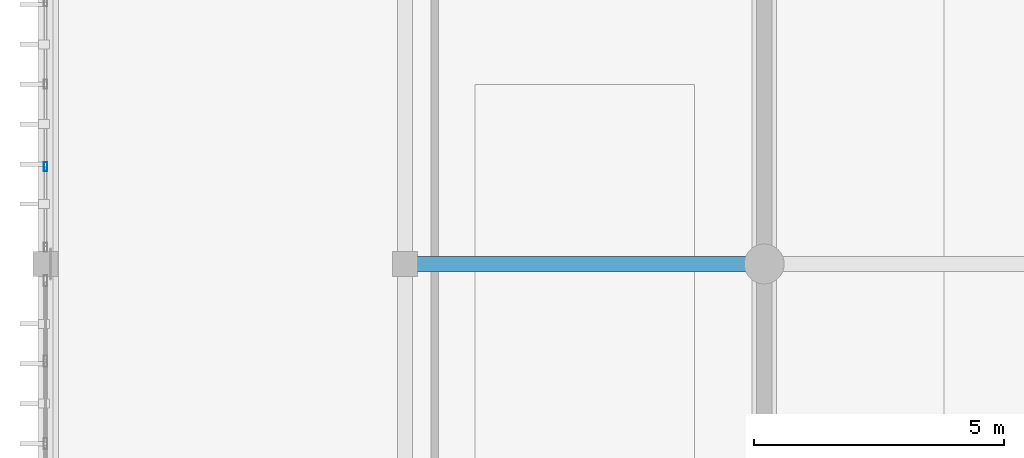
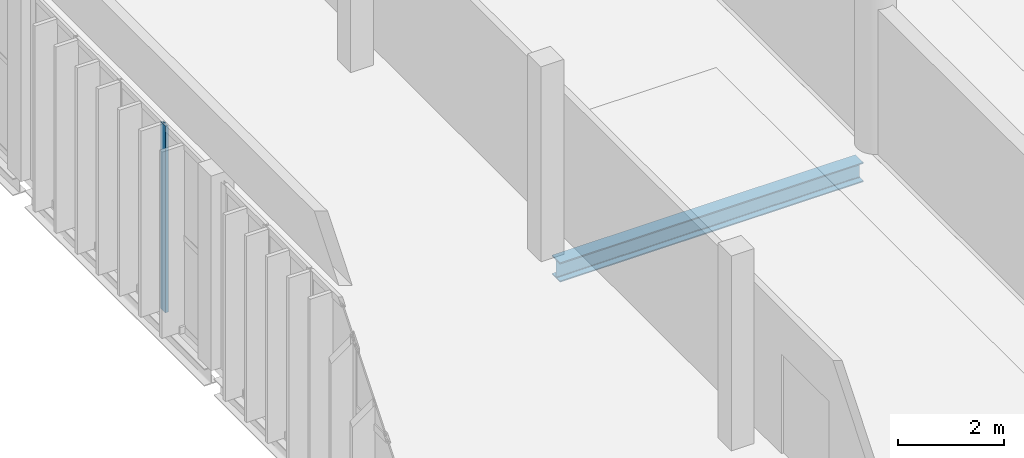
# One storey, part 22 of 64: 1 beam, 1 member, 1 element without a shape of its own.
"""IFC4 building model written with IfcOpenShell, lengths in metres."""

import ifcopenshell
import ifcopenshell.guid

model = None  # the IFC model being written
_history = None  # IfcOwnerHistory: only IFC2X3 demands one
_inside = {}  # id of a spatial element -> (the spatial element, [elements in it])
_under = {}  # id of a project, library or spatial element -> (it, [spatial elements below it])
_declared = {}  # id of a project -> (the project, [libraries it declares])
_typed = {}  # id of a type object -> (the type object, [elements of that type])
_made_of = {}  # id of a material, layer set ... -> (it, [elements and type objects made of it])


def new_model(schema):
    """Start an empty IFC model of exactly this schema.

    Asked for "IFC4X3", IfcOpenShell would pick the latest addendum, in which some entities
    have other attributes; the version numbers below select the first issue.
    IFC2X3 requires an IfcOwnerHistory on every rooted entity: one is made here for all.
    """
    global model, _history
    if schema == "IFC4X3":
        model = ifcopenshell.file(schema_version=(4, 3, 0, 0))
    else:
        model = ifcopenshell.file(schema=schema)
    _inside.clear()
    _under.clear()
    _declared.clear()
    _typed.clear()
    _made_of.clear()
    _history = None
    if model.schema == "IFC2X3":
        org = make("IfcOrganization", Name="unknown")
        user = make(
            "IfcPersonAndOrganization",
            ThePerson=make("IfcPerson", FamilyName="unknown"),
            TheOrganization=org,
        )
        app = make(
            "IfcApplication",
            ApplicationDeveloper=org,
            Version="unknown",
            ApplicationFullName="unknown",
            ApplicationIdentifier="unknown",
        )
        _history = make(
            "IfcOwnerHistory",
            OwningUser=user,
            OwningApplication=app,
            ChangeAction="ADDED",
            CreationDate=0,
        )
    return model


def make(cls, **values):
    """One entity of the class cls with the attributes given. An attribute that is None is left unset."""
    return model.create_entity(
        cls, **{name: value for name, value in values.items() if value is not None}
    )


def rooted(cls, **values):
    """An entity with a GlobalId (a new one), such as an element, a storey or a relation."""
    return make(cls, GlobalId=ifcopenshell.guid.new(), OwnerHistory=_history, **values)


def si_unit(unit_type, name, prefix=None):
    """IfcSIUnit, for example si_unit("LENGTHUNIT", "METRE", prefix="MILLI")."""
    return make("IfcSIUnit", UnitType=unit_type, Prefix=prefix, Name=name)


def assignment(units):
    """IfcUnitAssignment: the units of a project."""
    return None if units is None else make("IfcUnitAssignment", Units=units)


def point(xyz):
    """IfcCartesianPoint."""
    return None if xyz is None else make("IfcCartesianPoint", Coordinates=xyz)


def direction(xyz):
    """IfcDirection."""
    return None if xyz is None else make("IfcDirection", DirectionRatios=xyz)


def frame(location, z_axis=None, x_axis=None):
    """IfcAxis2Placement3D, a coordinate frame: its origin and axes. An axis left out is left unset."""
    return make(
        "IfcAxis2Placement3D",
        Location=point(location),
        Axis=direction(z_axis),
        RefDirection=direction(x_axis),
    )


def frame_2d(location, x_axis=None):
    """IfcAxis2Placement2D, a coordinate frame in the plane: its origin and x axis."""
    return make(
        "IfcAxis2Placement2D", Location=point(location), RefDirection=direction(x_axis)
    )


def origin():
    """The frame at (0, 0, 0) with its axes left unset."""
    return frame((0.0, 0.0, 0.0))


def origin_2d():
    """The frame at (0, 0) in the plane with its x axis left unset."""
    return frame_2d((0.0, 0.0))


def place(relative_to, where):
    """IfcLocalPlacement: puts the frame where relative to a parent placement (None: the world)."""
    return make(
        "IfcLocalPlacement", PlacementRelTo=relative_to, RelativePlacement=where
    )


def context(
    kind, dimensions, precision=None, world=None, true_north=None, identifier=None
):
    """IfcGeometricRepresentationContext, for example the 3D "Model" context."""
    return make(
        "IfcGeometricRepresentationContext",
        ContextIdentifier=identifier,
        ContextType=kind,
        CoordinateSpaceDimension=dimensions,
        Precision=precision,
        WorldCoordinateSystem=world,
        TrueNorth=true_north,
    )


def subcontext(parent, identifier, kind, view, scale=None):
    """IfcGeometricRepresentationSubContext, for example "Body" below "Model"."""
    return make(
        "IfcGeometricRepresentationSubContext",
        ContextIdentifier=identifier,
        ContextType=kind,
        ParentContext=parent,
        TargetScale=scale,
        TargetView=view,
    )


def project(units=None, contexts=None):
    """IfcProject with its units and contexts."""
    return rooted(
        "IfcProject",
        Name="project",
        RepresentationContexts=contexts,
        UnitsInContext=assignment(units),
    )


def spatial(cls, under=None, at=None, **own):
    """A site, building, storey or space (cls), placed at a placement, below another one or the project."""
    s = rooted(cls, ObjectPlacement=at, **own)
    if under is not None:
        _under.setdefault(under.id(), (under, []))[1].append(s)
    return s


def profile(cls, at=None, kind="AREA", **sizes):
    """A parametric profile (cls). Its sizes go by their IFC names, for example OverallWidth=200.0."""
    return make(cls, ProfileType=kind, Position=at, **sizes)


def hollow_rectangle(**sizes):
    """IfcRectangleHollowProfileDef."""
    return profile("IfcRectangleHollowProfileDef", **sizes)


def i_section(**sizes):
    """IfcIShapeProfileDef."""
    return profile("IfcIShapeProfileDef", **sizes)


def extrude(swept, where, along, depth):
    """IfcExtrudedAreaSolid: the profile swept, set in the frame where, extruded along a direction by depth."""
    return make(
        "IfcExtrudedAreaSolid",
        SweptArea=swept,
        Position=where,
        ExtrudedDirection=direction(along),
        Depth=depth,
    )


def shape(context_of_items, identifier, shape_type, items):
    """IfcShapeRepresentation: the items that make up one representation, for example the "Body"."""
    return make(
        "IfcShapeRepresentation",
        ContextOfItems=context_of_items,
        RepresentationIdentifier=identifier,
        RepresentationType=shape_type,
        Items=items,
    )


def material(Name=None, Category=None):
    """IfcMaterial."""
    return make("IfcMaterial", Name=Name, Category=Category)


def material_profile(
    of_material, cross_section, Name=None, Category=None, Priority=None
):
    """IfcMaterialProfile: a cross section and its material."""
    return make(
        "IfcMaterialProfile",
        Name=Name,
        Material=of_material,
        Profile=cross_section,
        Priority=Priority,
        Category=Category,
    )


def profile_set(profiles, Name=None, composite=None):
    """IfcMaterialProfileSet."""
    return make(
        "IfcMaterialProfileSet",
        Name=Name,
        MaterialProfiles=profiles,
        CompositeProfile=composite,
    )


def made_of(thing, what):
    """Note that an element or type object is made of a material, layer set ...; save() writes the relation."""
    if what is not None:
        _made_of.setdefault(what.id(), (what, []))[1].append(thing)
    return thing


def type_object(cls, material=None, **own):
    """A type object (cls), such as IfcWallType, which elements share."""
    return made_of(rooted(cls, **own), material)


def element(
    cls,
    number,
    at=None,
    inside=None,
    cuts=None,
    type_object=None,
    material=None,
    context=None,
    identifier="Body",
    shape_type=None,
    held_by="IfcProductDefinitionShape",
    body=None,
    shapes=None,
    **own,
):
    """One element of the class cls, such as IfcWall. Its Tag is "e" and its number.

    at: its placement. inside: the storey or other place that contains it. cuts: it is an
    opening in that element (IfcRelVoidsElement). A single representation is given by context,
    identifier, shape_type and body (its items); several are given by shapes. held_by: the class
    of the entity that holds the representations. save() writes the other relations.
    """
    e = rooted(cls, Tag="e%d" % number, ObjectPlacement=at, **own)
    if body is not None:
        shapes = [shape(context, identifier, shape_type, body)]
    if shapes is not None:
        e.Representation = make(held_by, Representations=shapes)
    if inside is not None:
        _inside.setdefault(inside.id(), (inside, []))[1].append(e)
    if cuts is not None:
        rooted(
            "IfcRelVoidsElement", RelatingBuildingElement=cuts, RelatedOpeningElement=e
        )
    if type_object is not None:
        _typed.setdefault(type_object.id(), (type_object, []))[1].append(e)
    return made_of(e, material)


def aggregate(whole, parts):
    """IfcRelAggregates: a whole, such as a stair, and the parts it consists of."""
    return rooted("IfcRelAggregates", RelatingObject=whole, RelatedObjects=parts)


def save(model, path):
    """Write the relations noted so far, then the file.

    IfcRelAggregates (storeys below a building ...), IfcRelContainedInSpatialStructure (elements
    in a storey), IfcRelDefinesByType, IfcRelAssociatesMaterial and IfcRelDeclares: one each for
    every whole, place, type object, material and project.
    """
    for whole, parts in _under.values():
        aggregate(whole, parts)
    for where, things in _inside.values():
        rooted(
            "IfcRelContainedInSpatialStructure",
            RelatedElements=things,
            RelatingStructure=where,
        )
    for kind, things in _typed.values():
        rooted("IfcRelDefinesByType", RelatedObjects=things, RelatingType=kind)
    for what, things in _made_of.values():
        rooted("IfcRelAssociatesMaterial", RelatedObjects=things, RelatingMaterial=what)
    for by, libraries in _declared.values():
        rooted("IfcRelDeclares", RelatingContext=by, RelatedDefinitions=libraries)
    model.write(path)


model = new_model("IFC4")

# Units and contexts
model_context = context("Model", 3, precision=1e-05, world=origin(), true_north=direction((0.0, 1.0)))
body_context = subcontext(model_context, "Body", "Model", "MODEL_VIEW")
ifc_project = project(units=[si_unit("LENGTHUNIT", "METRE"), si_unit("AREAUNIT", "SQUARE_METRE"), si_unit("VOLUMEUNIT", "CUBIC_METRE"), si_unit("PLANEANGLEUNIT", "RADIAN"), si_unit("MASSUNIT", "GRAM", prefix="KILO")], contexts=[model_context])

# Site, building, storey
site_placement = place(None, origin())
site = spatial("IfcSite", under=ifc_project, at=site_placement, CompositionType="ELEMENT")
building_placement = place(site_placement, origin())
building = spatial("IfcBuilding", under=site, at=building_placement, Name="Qandorah Velis Arena", CompositionType="ELEMENT")
storey_placement = place(building_placement, frame((0.0, 0.0, 23.0)))
storey = spatial("IfcBuildingStorey", under=building, at=storey_placement, Name="L05", CompositionType="ELEMENT", Elevation=23.0)

# Curtain wall, member
ifc_material_1 = material(Name="Solar-control low-E double glazing", Category="glass")
curtain_wall_type = type_object("IfcCurtainWallType", Name="ARC-CW-SYS02", PredefinedType="USERDEFINED", material=ifc_material_1)
curtain_wall_placement = place(storey_placement, origin())
curtain_wall = element("IfcCurtainWall", 1, at=curtain_wall_placement, inside=storey, type_object=curtain_wall_type, Name="Unitised curtain wall L05-050", ObjectType="UNITISED CURTAIN WALL", PredefinedType="USERDEFINED")
ifc_material_2 = material(Name="Champagne-bronze anodized aluminium 6063-T6", Category="aluminium")
ifc_material_profile_1 = material_profile(ifc_material_2, hollow_rectangle(XDim=0.06494140625, YDim=0.179931640625, WallThickness=0.00341796875, at=origin_2d()), Name="ALU MULLION 65x180")
ifc_profile_set_1 = profile_set([ifc_material_profile_1], Name="Champagne-bronze anodized aluminium 6063-T6")
member_type = type_object("IfcMemberType", Name="ARC-CWM-180", PredefinedType="MULLION", material=ifc_profile_set_1)
member_placement = place(storey_placement, frame((0.0, 88.35009765625, -0.014892578125), z_axis=(0.0, 0.0, 1.0), x_axis=(-1.0, 0.0, 0.0)))
member = element("IfcMember", 2, at=member_placement, type_object=member_type, Name="CW02 mullion 2", PredefinedType="MULLION", context=body_context, shape_type="SweptSolid", body=[
    extrude(hollow_rectangle(XDim=0.06494140625, YDim=0.179931640625, WallThickness=0.00341796875, at=origin_2d()), origin(), (0.0, 0.0, 1.0), 4.309814453125),
])
aggregate(curtain_wall, [member])

# Beam
ifc_material_3 = material(Name="Steel S355", Category="steel")
ifc_material_profile_2 = material_profile(ifc_material_3, i_section(OverallWidth=0.300048828125, OverallDepth=0.449951171875, WebThickness=0.013916015625, FlangeThickness=0.02587890625, FilletRadius=0.027099609375, at=origin_2d()), Name="HEB 450")
ifc_profile_set_2 = profile_set([ifc_material_profile_2], Name="Steel S355")
beam_type = type_object("IfcBeamType", Name="STR-BM-HEB450", PredefinedType="BEAM", material=ifc_profile_set_2)
beam_placement = place(storey_placement, frame((7.425048828125, 86.39990234375, -0.47509765625), z_axis=(1.0, 0.0, 0.0), x_axis=(0.0, 1.0, 0.0)))
element("IfcBeam", 3, at=beam_placement, inside=storey, type_object=beam_type, Name="Primary floor girder L05 X-065", PredefinedType="BEAM", context=body_context, shape_type="SweptSolid", body=[
    extrude(i_section(OverallWidth=0.300048828125, OverallDepth=0.449951171875, WebThickness=0.013916015625, FlangeThickness=0.02587890625, FilletRadius=0.027099609375, at=origin_2d()), origin(), (0.0, 0.0, 1.0), 6.625),
])

save(model, "model.ifc")
